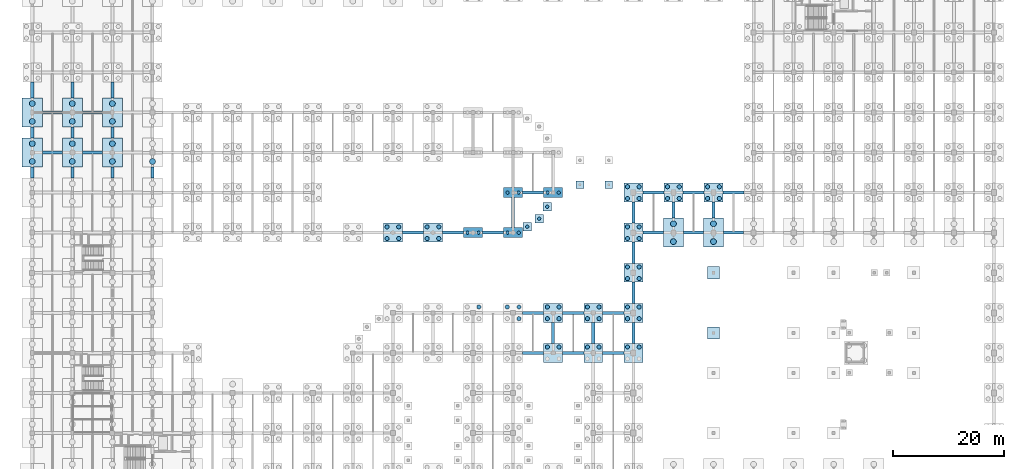
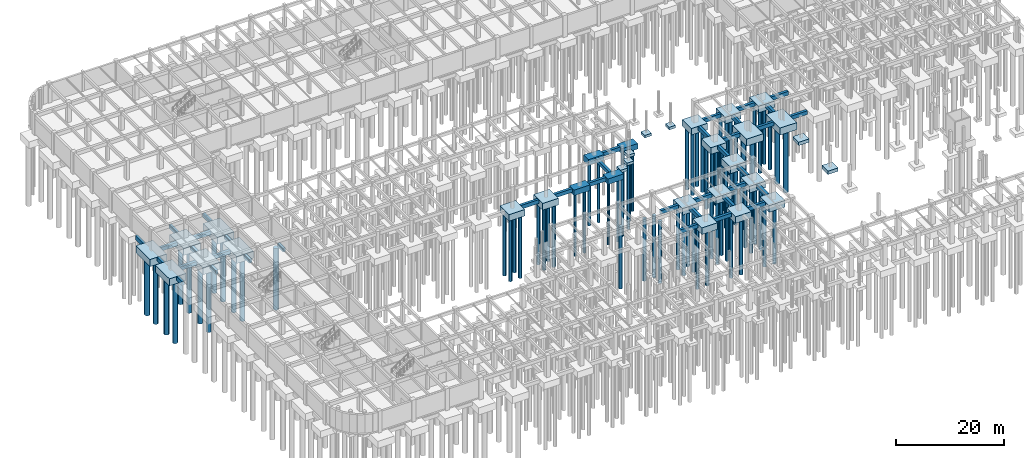
# One storey, part 5 of 47: 78 piles, 71 footings.
"""IFC4 building model written with IfcOpenShell, lengths in metres."""

from ifc_helpers import new_model, si_unit, direction, frame, origin, origin_2d, place, context, subcontext, project, spatial, rectangle, circle, extrude, material, material_profile, profile_set, type_object, element, save


model = new_model("IFC4")

# Units and contexts
model_context = context("Model", 3, precision=1e-05, world=origin(), true_north=direction((0.0, 1.0)))
body_context = subcontext(model_context, "Body", "Model", "MODEL_VIEW")
ifc_project = project(units=[si_unit("LENGTHUNIT", "METRE"), si_unit("AREAUNIT", "SQUARE_METRE"), si_unit("VOLUMEUNIT", "CUBIC_METRE"), si_unit("PLANEANGLEUNIT", "RADIAN"), si_unit("MASSUNIT", "GRAM", prefix="KILO")], contexts=[model_context])

# Site, building, storey
site_placement = place(None, origin())
site = spatial("IfcSite", under=ifc_project, at=site_placement, CompositionType="ELEMENT")
building_placement = place(site_placement, origin())
building = spatial("IfcBuilding", under=site, at=building_placement, Name="Thalmaran Polytechnic", CompositionType="ELEMENT")
storey_placement = place(building_placement, frame((0.0, 0.0, -4.5)))
storey = spatial("IfcBuildingStorey", under=building, at=storey_placement, Name="B1", CompositionType="ELEMENT", Elevation=-4.5)

# Footings
ifc_material_1 = material(Name="Concrete C40/50", Category="concrete")
ifc_material_profile_1 = material_profile(ifc_material_1, rectangle(XDim=0.550048828125, YDim=0.85009765625, at=origin_2d()), Name="RC 550x850")
ifc_profile_set_1 = profile_set([ifc_material_profile_1], Name="Concrete C40/50")
footing_type_1 = type_object("IfcFootingType", Name="FN-GB01", PredefinedType="FOOTING_BEAM", material=ifc_profile_set_1)
footing_1_placement = place(storey_placement, frame((0.0, 60.199951171875, -0.875), z_axis=(0.0, 1.0, 0.0), x_axis=(-1.0, 0.0, 0.0)))
element("IfcFooting", 1, at=footing_1_placement, inside=storey, type_object=footing_type_1, Name="Ground Tie Beam B1 Y (0,8)", PredefinedType="FOOTING_BEAM", context=body_context, shape_type="SweptSolid", body=[
    extrude(rectangle(XDim=0.550048828125, YDim=0.85009765625, at=origin_2d()), origin(), (0.0, 0.0, 1.0), 2.0),
])
footing_2_placement = place(storey_placement, frame((1.800048828125, 64.800048828125, -0.875), z_axis=(1.0, 0.0, 0.0), x_axis=(0.0, 1.0, 0.0)))
element("IfcFooting", 2, at=footing_2_placement, inside=storey, type_object=footing_type_1, Name="Ground Tie Beam B1 X (0,9)", PredefinedType="FOOTING_BEAM", context=body_context, shape_type="SweptSolid", body=[
    extrude(rectangle(XDim=0.550048828125, YDim=0.85009765625, at=origin_2d()), origin(), (0.0, 0.0, 1.0), 3.599853515625),
])
footing_3_placement = place(storey_placement, frame((0.0, 67.39990234375, -0.875), z_axis=(0.0, 1.0, 0.0), x_axis=(-1.0, 0.0, 0.0)))
element("IfcFooting", 3, at=footing_3_placement, inside=storey, type_object=footing_type_1, Name="Ground Tie Beam B1 Y (0,9)", PredefinedType="FOOTING_BEAM", context=body_context, shape_type="SweptSolid", body=[
    extrude(rectangle(XDim=0.550048828125, YDim=0.85009765625, at=origin_2d()), origin(), (0.0, 0.0, 1.0), 2.0),
])
footing_4_placement = place(storey_placement, frame((1.800048828125, 72.0, -0.875), z_axis=(1.0, 0.0, 0.0), x_axis=(0.0, 1.0, 0.0)))
element("IfcFooting", 4, at=footing_4_placement, inside=storey, type_object=footing_type_1, Name="Ground Tie Beam B1 X (0,10)", PredefinedType="FOOTING_BEAM", context=body_context, shape_type="SweptSolid", body=[
    extrude(rectangle(XDim=0.550048828125, YDim=0.85009765625, at=origin_2d()), origin(), (0.0, 0.0, 1.0), 3.599853515625),
])
footing_5_placement = place(storey_placement, frame((0.0, 74.60009765625, -0.875), z_axis=(0.0, 1.0, 0.0), x_axis=(-1.0, 0.0, 0.0)))
element("IfcFooting", 5, at=footing_5_placement, inside=storey, type_object=footing_type_1, Name="Ground Tie Beam B1 Y (0,10)", PredefinedType="FOOTING_BEAM", context=body_context, shape_type="SweptSolid", body=[
    extrude(rectangle(XDim=0.550048828125, YDim=0.85009765625, at=origin_2d()), origin(), (0.0, 0.0, 1.0), 2.89990234375),
])
footing_6_placement = place(storey_placement, frame((7.199951171875, 60.199951171875, -0.875), z_axis=(0.0, 1.0, 0.0), x_axis=(-1.0, 0.0, 0.0)))
element("IfcFooting", 6, at=footing_6_placement, inside=storey, type_object=footing_type_1, Name="Ground Tie Beam B1 Y (1,8)", PredefinedType="FOOTING_BEAM", context=body_context, shape_type="SweptSolid", body=[
    extrude(rectangle(XDim=0.550048828125, YDim=0.85009765625, at=origin_2d()), origin(), (0.0, 0.0, 1.0), 2.0),
])
footing_7_placement = place(storey_placement, frame((9.0, 64.800048828125, -0.875), z_axis=(1.0, 0.0, 0.0), x_axis=(0.0, 1.0, 0.0)))
element("IfcFooting", 7, at=footing_7_placement, inside=storey, type_object=footing_type_1, Name="Ground Tie Beam B1 X (1,9)", PredefinedType="FOOTING_BEAM", context=body_context, shape_type="SweptSolid", body=[
    extrude(rectangle(XDim=0.550048828125, YDim=0.85009765625, at=origin_2d()), origin(), (0.0, 0.0, 1.0), 3.60009765625),
])
footing_8_placement = place(storey_placement, frame((7.199951171875, 67.39990234375, -0.875), z_axis=(0.0, 1.0, 0.0), x_axis=(-1.0, 0.0, 0.0)))
element("IfcFooting", 8, at=footing_8_placement, inside=storey, type_object=footing_type_1, Name="Ground Tie Beam B1 Y (1,9)", PredefinedType="FOOTING_BEAM", context=body_context, shape_type="SweptSolid", body=[
    extrude(rectangle(XDim=0.550048828125, YDim=0.85009765625, at=origin_2d()), origin(), (0.0, 0.0, 1.0), 2.0),
])
footing_9_placement = place(storey_placement, frame((9.0, 72.0, -0.875), z_axis=(1.0, 0.0, 0.0), x_axis=(0.0, 1.0, 0.0)))
element("IfcFooting", 9, at=footing_9_placement, inside=storey, type_object=footing_type_1, Name="Ground Tie Beam B1 X (1,10)", PredefinedType="FOOTING_BEAM", context=body_context, shape_type="SweptSolid", body=[
    extrude(rectangle(XDim=0.550048828125, YDim=0.85009765625, at=origin_2d()), origin(), (0.0, 0.0, 1.0), 3.60009765625),
])
footing_10_placement = place(storey_placement, frame((7.199951171875, 74.60009765625, -0.875), z_axis=(0.0, 1.0, 0.0), x_axis=(-1.0, 0.0, 0.0)))
element("IfcFooting", 10, at=footing_10_placement, inside=storey, type_object=footing_type_1, Name="Ground Tie Beam B1 Y (1,10)", PredefinedType="FOOTING_BEAM", context=body_context, shape_type="SweptSolid", body=[
    extrude(rectangle(XDim=0.550048828125, YDim=0.85009765625, at=origin_2d()), origin(), (0.0, 0.0, 1.0), 2.89990234375),
])
for number, where, z_axis, x_axis, name in (
    (11, (14.39990234375, 60.199951171875, -0.875), (0.0, 1.0, 0.0), (-1.0, 0.0, 0.0), "Ground Tie Beam B1 Y (2,8)"),
    (12, (14.39990234375, 67.39990234375, -0.875), (0.0, 1.0, 0.0), (-1.0, 0.0, 0.0), "Ground Tie Beam B1 Y (2,9)"),
):
    element("IfcFooting", number, at=place(storey_placement, frame(where, z_axis=z_axis, x_axis=x_axis)), inside=storey, type_object=footing_type_1, Name=name, PredefinedType="FOOTING_BEAM", context=body_context, shape_type="SweptSolid", body=[
        extrude(rectangle(XDim=0.550048828125, YDim=0.85009765625, at=origin_2d()), origin(), (0.0, 0.0, 1.0), 2.0),
    ])
footing_11_placement = place(storey_placement, frame((14.39990234375, 74.60009765625, -0.875), z_axis=(0.0, 1.0, 0.0), x_axis=(-1.0, 0.0, 0.0)))
element("IfcFooting", 13, at=footing_11_placement, inside=storey, type_object=footing_type_1, Name="Ground Tie Beam B1 Y (2,10)", PredefinedType="FOOTING_BEAM", context=body_context, shape_type="SweptSolid", body=[
    extrude(rectangle(XDim=0.550048828125, YDim=0.85009765625, at=origin_2d()), origin(), (0.0, 0.0, 1.0), 2.89990234375),
])
footing_12_placement = place(storey_placement, frame((21.60009765625, 60.199951171875, -0.875), z_axis=(0.0, 1.0, 0.0), x_axis=(-1.0, 0.0, 0.0)))
element("IfcFooting", 14, at=footing_12_placement, inside=storey, type_object=footing_type_1, Name="Ground Tie Beam B1 Y (3,8)", PredefinedType="FOOTING_BEAM", context=body_context, shape_type="SweptSolid", body=[
    extrude(rectangle(XDim=0.550048828125, YDim=0.85009765625, at=origin_2d()), origin(), (0.0, 0.0, 1.0), 2.0),
])
for number, where, z_axis, x_axis, name in (
    (15, (66.5, 50.39990234375, -0.875), (1.0, 0.0, 0.0), (0.0, 1.0, 0.0), "Ground Tie Beam B1 X (9,7)"),
    (16, (73.699951171875, 50.39990234375, -0.875), (1.0, 0.0, 0.0), (0.0, 1.0, 0.0), "Ground Tie Beam B1 X (10,7)"),
    (17, (80.89990234375, 50.39990234375, -0.875), (1.0, 0.0, 0.0), (0.0, 1.0, 0.0), "Ground Tie Beam B1 X (11,7)"),
):
    element("IfcFooting", number, at=place(storey_placement, frame(where, z_axis=z_axis, x_axis=x_axis)), inside=storey, type_object=footing_type_1, Name=name, PredefinedType="FOOTING_BEAM", context=body_context, shape_type="SweptSolid", body=[
        extrude(rectangle(XDim=0.550048828125, YDim=0.85009765625, at=origin_2d()), origin(), (0.0, 0.0, 1.0), 3.800048828125),
    ])
for number, where, z_axis, x_axis, name in (
    (18, (88.10009765625, 28.800048828125, -0.875), (1.0, 0.0, 0.0), (0.0, 1.0, 0.0), "Ground Tie Beam B1 X (12,4)"),
    (19, (88.10009765625, 36.0, -0.875), (1.0, 0.0, 0.0), (0.0, 1.0, 0.0), "Ground Tie Beam B1 X (12,5)"),
):
    element("IfcFooting", number, at=place(storey_placement, frame(where, z_axis=z_axis, x_axis=x_axis)), inside=storey, type_object=footing_type_1, Name=name, PredefinedType="FOOTING_BEAM", context=body_context, shape_type="SweptSolid", body=[
        extrude(rectangle(XDim=0.550048828125, YDim=0.85009765625, at=origin_2d()), origin(), (0.0, 0.0, 1.0), 3.7998046875),
    ])
footing_13_placement = place(storey_placement, frame((86.39990234375, 51.300048828125, -0.875), z_axis=(0.0, 1.0, 0.0), x_axis=(-1.0, 0.0, 0.0)))
element("IfcFooting", 20, at=footing_13_placement, inside=storey, type_object=footing_type_1, Name="Ground Tie Beam B1 Y (12,7)", PredefinedType="FOOTING_BEAM", context=body_context, shape_type="SweptSolid", body=[
    extrude(rectangle(XDim=0.550048828125, YDim=0.85009765625, at=origin_2d()), origin(), (0.0, 0.0, 1.0), 5.39990234375),
])
footing_14_placement = place(storey_placement, frame((88.10009765625, 57.60009765625, -0.875), z_axis=(1.0, 0.0, 0.0), x_axis=(0.0, 1.0, 0.0)))
element("IfcFooting", 21, at=footing_14_placement, inside=storey, type_object=footing_type_1, Name="Ground Tie Beam B1 X (12,8)", PredefinedType="FOOTING_BEAM", context=body_context, shape_type="SweptSolid", body=[
    extrude(rectangle(XDim=0.550048828125, YDim=0.85009765625, at=origin_2d()), origin(), (0.0, 0.0, 1.0), 3.7998046875),
])
for number, where, z_axis, x_axis, name in (
    (22, (95.300048828125, 28.800048828125, -0.875), (1.0, 0.0, 0.0), (0.0, 1.0, 0.0), "Ground Tie Beam B1 X (13,4)"),
    (23, (93.60009765625, 30.5, -0.875), (0.0, 1.0, 0.0), (-1.0, 0.0, 0.0), "Ground Tie Beam B1 Y (13,4)"),
    (24, (95.300048828125, 36.0, -0.875), (1.0, 0.0, 0.0), (0.0, 1.0, 0.0), "Ground Tie Beam B1 X (13,5)"),
    (25, (102.5, 28.800048828125, -0.875), (1.0, 0.0, 0.0), (0.0, 1.0, 0.0), "Ground Tie Beam B1 X (14,4)"),
    (26, (100.800048828125, 30.5, -0.875), (0.0, 1.0, 0.0), (-1.0, 0.0, 0.0), "Ground Tie Beam B1 Y (14,4)"),
    (27, (102.5, 36.0, -0.875), (1.0, 0.0, 0.0), (0.0, 1.0, 0.0), "Ground Tie Beam B1 X (14,5)"),
    (28, (108.0, 30.5, -0.875), (0.0, 1.0, 0.0), (-1.0, 0.0, 0.0), "Ground Tie Beam B1 Y (15,4)"),
    (29, (108.0, 37.699951171875, -0.875), (0.0, 1.0, 0.0), (-1.0, 0.0, 0.0), "Ground Tie Beam B1 Y (15,5)"),
    (30, (108.0, 44.89990234375, -0.875), (0.0, 1.0, 0.0), (-1.0, 0.0, 0.0), "Ground Tie Beam B1 Y (15,6)"),
):
    element("IfcFooting", number, at=place(storey_placement, frame(where, z_axis=z_axis, x_axis=x_axis)), inside=storey, type_object=footing_type_1, Name=name, PredefinedType="FOOTING_BEAM", context=body_context, shape_type="SweptSolid", body=[
        extrude(rectangle(XDim=0.550048828125, YDim=0.85009765625, at=origin_2d()), origin(), (0.0, 0.0, 1.0), 3.800048828125),
    ])
footing_15_placement = place(storey_placement, frame((109.699951171875, 50.39990234375, -0.875), z_axis=(1.0, 0.0, 0.0), x_axis=(0.0, 1.0, 0.0)))
element("IfcFooting", 31, at=footing_15_placement, inside=storey, type_object=footing_type_1, Name="Ground Tie Beam B1 X (15,7)", PredefinedType="FOOTING_BEAM", context=body_context, shape_type="SweptSolid", body=[
    extrude(rectangle(XDim=0.550048828125, YDim=0.85009765625, at=origin_2d()), origin(), (0.0, 0.0, 1.0), 3.699951171875),
])
footing_16_placement = place(storey_placement, frame((108.0, 52.10009765625, -0.875), z_axis=(0.0, 1.0, 0.0), x_axis=(-1.0, 0.0, 0.0)))
element("IfcFooting", 32, at=footing_16_placement, inside=storey, type_object=footing_type_1, Name="Ground Tie Beam B1 Y (15,7)", PredefinedType="FOOTING_BEAM", context=body_context, shape_type="SweptSolid", body=[
    extrude(rectangle(XDim=0.550048828125, YDim=0.85009765625, at=origin_2d()), origin(), (0.0, 0.0, 1.0), 3.7998046875),
])
footing_17_placement = place(storey_placement, frame((109.699951171875, 57.60009765625, -0.875), z_axis=(1.0, 0.0, 0.0), x_axis=(0.0, 1.0, 0.0)))
element("IfcFooting", 33, at=footing_17_placement, inside=storey, type_object=footing_type_1, Name="Ground Tie Beam B1 X (15,8)", PredefinedType="FOOTING_BEAM", context=body_context, shape_type="SweptSolid", body=[
    extrude(rectangle(XDim=0.550048828125, YDim=0.85009765625, at=origin_2d()), origin(), (0.0, 0.0, 1.0), 3.800048828125),
])
footing_18_placement = place(storey_placement, frame((117.0, 50.39990234375, -0.875), z_axis=(1.0, 0.0, 0.0), x_axis=(0.0, 1.0, 0.0)))
element("IfcFooting", 34, at=footing_18_placement, inside=storey, type_object=footing_type_1, Name="Ground Tie Beam B1 X (16,7)", PredefinedType="FOOTING_BEAM", context=body_context, shape_type="SweptSolid", body=[
    extrude(rectangle(XDim=0.550048828125, YDim=0.85009765625, at=origin_2d()), origin(), (0.0, 0.0, 1.0), 3.60009765625),
])
footing_19_placement = place(storey_placement, frame((115.199951171875, 53.0, -0.875), z_axis=(0.0, 1.0, 0.0), x_axis=(-1.0, 0.0, 0.0)))
element("IfcFooting", 35, at=footing_19_placement, inside=storey, type_object=footing_type_1, Name="Ground Tie Beam B1 Y (16,7)", PredefinedType="FOOTING_BEAM", context=body_context, shape_type="SweptSolid", body=[
    extrude(rectangle(XDim=0.550048828125, YDim=0.85009765625, at=origin_2d()), origin(), (0.0, 0.0, 1.0), 2.89990234375),
])
footing_20_placement = place(storey_placement, frame((116.89990234375, 57.60009765625, -0.875), z_axis=(1.0, 0.0, 0.0), x_axis=(0.0, 1.0, 0.0)))
element("IfcFooting", 36, at=footing_20_placement, inside=storey, type_object=footing_type_1, Name="Ground Tie Beam B1 X (16,8)", PredefinedType="FOOTING_BEAM", context=body_context, shape_type="SweptSolid", body=[
    extrude(rectangle(XDim=0.550048828125, YDim=0.85009765625, at=origin_2d()), origin(), (0.0, 0.0, 1.0), 3.800048828125),
])
footing_21_placement = place(storey_placement, frame((124.199951171875, 50.39990234375, -0.875), z_axis=(1.0, 0.0, 0.0), x_axis=(0.0, 1.0, 0.0)))
element("IfcFooting", 37, at=footing_21_placement, inside=storey, type_object=footing_type_1, Name="Ground Tie Beam B1 X (17,7)", PredefinedType="FOOTING_BEAM", context=body_context, shape_type="SweptSolid", body=[
    extrude(rectangle(XDim=0.550048828125, YDim=0.85009765625, at=origin_2d()), origin(), (0.0, 0.0, 1.0), 3.60009765625),
])
footing_22_placement = place(storey_placement, frame((122.39990234375, 53.0, -0.875), z_axis=(0.0, 1.0, 0.0), x_axis=(-1.0, 0.0, 0.0)))
element("IfcFooting", 38, at=footing_22_placement, inside=storey, type_object=footing_type_1, Name="Ground Tie Beam B1 Y (17,7)", PredefinedType="FOOTING_BEAM", context=body_context, shape_type="SweptSolid", body=[
    extrude(rectangle(XDim=0.550048828125, YDim=0.85009765625, at=origin_2d()), origin(), (0.0, 0.0, 1.0), 2.89990234375),
])
footing_23_placement = place(storey_placement, frame((124.10009765625, 57.60009765625, -0.875), z_axis=(1.0, 0.0, 0.0), x_axis=(0.0, 1.0, 0.0)))
element("IfcFooting", 39, at=footing_23_placement, inside=storey, type_object=footing_type_1, Name="Ground Tie Beam B1 X (17,8)", PredefinedType="FOOTING_BEAM", context=body_context, shape_type="SweptSolid", body=[
    extrude(rectangle(XDim=0.550048828125, YDim=0.85009765625, at=origin_2d()), origin(), (0.0, 0.0, 1.0), 3.7998046875),
])
footing_type_2 = type_object("IfcFootingType", Name="FN-PC01", PredefinedType="PILE_CAP", material=ifc_material_1)
for number, where, z_axis, x_axis, name in (
    (40, (64.800048828125, 50.39990234375, -1.949951171875), (0.0, 0.0, 1.0), (1.0, 0.0, 0.0), "Pile Cap PC01 (9,7)"),
    (41, (72.0, 50.39990234375, -1.949951171875), (0.0, 0.0, 1.0), (1.0, 0.0, 0.0), "Pile Cap PC01 (10,7)"),
    (42, (93.60009765625, 28.800048828125, -1.949951171875), (0.0, 0.0, 1.0), (1.0, 0.0, 0.0), "Pile Cap PC01 (13,4)"),
    (43, (93.60009765625, 36.0, -1.949951171875), (0.0, 0.0, 1.0), (1.0, 0.0, 0.0), "Pile Cap PC01 (13,5)"),
    (44, (100.800048828125, 28.800048828125, -1.949951171875), (0.0, 0.0, 1.0), (1.0, 0.0, 0.0), "Pile Cap PC01 (14,4)"),
    (45, (100.800048828125, 36.0, -1.949951171875), (0.0, 0.0, 1.0), (1.0, 0.0, 0.0), "Pile Cap PC01 (14,5)"),
    (46, (108.0, 28.800048828125, -1.949951171875), (0.0, 0.0, 1.0), (1.0, 0.0, 0.0), "Pile Cap PC01 (15,4)"),
    (47, (108.0, 36.0, -1.949951171875), (0.0, 0.0, 1.0), (1.0, 0.0, 0.0), "Pile Cap PC01 (15,5)"),
    (48, (108.0, 43.199951171875, -1.949951171875), (0.0, 0.0, 1.0), (1.0, 0.0, 0.0), "Pile Cap PC01 (15,6)"),
    (49, (108.0, 50.39990234375, -1.949951171875), (0.0, 0.0, 1.0), (1.0, 0.0, 0.0), "Pile Cap PC01 (15,7)"),
    (50, (108.0, 57.60009765625, -1.949951171875), (0.0, 0.0, 1.0), (1.0, 0.0, 0.0), "Pile Cap PC01 (15,8)"),
    (51, (115.199951171875, 57.60009765625, -1.949951171875), (0.0, 0.0, 1.0), (1.0, 0.0, 0.0), "Pile Cap PC01 (16,8)"),
    (52, (122.39990234375, 57.60009765625, -1.949951171875), (0.0, 0.0, 1.0), (1.0, 0.0, 0.0), "Pile Cap PC01 (17,8)"),
):
    element("IfcFooting", number, at=place(storey_placement, frame(where, z_axis=z_axis, x_axis=x_axis)), inside=storey, type_object=footing_type_2, Name=name, PredefinedType="PILE_CAP", context=body_context, shape_type="SweptSolid", body=[
        extrude(rectangle(XDim=3.39990234375, YDim=3.39990234375, at=origin_2d()), origin(), (0.0, 0.0, 1.0), 1.5),
    ])
footing_type_3 = type_object("IfcFootingType", Name="FN-PC05", PredefinedType="PILE_CAP", material=ifc_material_1)
for number, where, z_axis, x_axis, name in (
    (53, (79.199951171875, 50.39990234375, -1.699951171875), (0.0, 0.0, 1.0), (1.0, 0.0, 0.0), "Pile Cap PC05 (11,7)"),
    (54, (86.39990234375, 50.39990234375, -1.699951171875), (0.0, 0.0, 1.0), (1.0, 0.0, 0.0), "Pile Cap PC05 (12,7)"),
    (55, (86.39990234375, 57.60009765625, -1.699951171875), (0.0, 0.0, 1.0), (1.0, 0.0, 0.0), "Pile Cap PC05 (12,8)"),
    (56, (93.60009765625, 57.60009765625, -1.699951171875), (0.0, 0.0, 1.0), (1.0, 0.0, 0.0), "Pile Cap PC05 (13,8)"),
):
    element("IfcFooting", number, at=place(storey_placement, frame(where, z_axis=z_axis, x_axis=x_axis)), inside=storey, type_object=footing_type_3, Name=name, PredefinedType="PILE_CAP", context=body_context, shape_type="SweptSolid", body=[
        extrude(rectangle(XDim=3.39990234375, YDim=1.800048828125, at=origin_2d()), origin(), (0.0, 0.0, 1.0), 1.25),
    ])
footing_type_4 = type_object("IfcFootingType", Name="FN-PC08", PredefinedType="PILE_CAP", material=ifc_material_1)
for number, where, z_axis, x_axis, name in (
    (57, (0.0, 64.800048828125, -2.050048828125), (0.0, 0.0, 1.0), (1.0, 0.0, 0.0), "Pile Cap PC08 (0,9)"),
    (58, (0.0, 72.0, -2.050048828125), (0.0, 0.0, 1.0), (1.0, 0.0, 0.0), "Pile Cap PC08 (0,10)"),
    (59, (7.199951171875, 64.800048828125, -2.050048828125), (0.0, 0.0, 1.0), (1.0, 0.0, 0.0), "Pile Cap PC08 (1,9)"),
    (60, (7.199951171875, 72.0, -2.050048828125), (0.0, 0.0, 1.0), (1.0, 0.0, 0.0), "Pile Cap PC08 (1,10)"),
    (61, (14.39990234375, 64.800048828125, -2.050048828125), (0.0, 0.0, 1.0), (1.0, 0.0, 0.0), "Pile Cap PC08 (2,9)"),
    (62, (14.39990234375, 72.0, -2.050048828125), (0.0, 0.0, 1.0), (1.0, 0.0, 0.0), "Pile Cap PC08 (2,10)"),
    (63, (115.199951171875, 50.39990234375, -2.050048828125), (0.0, 0.0, 1.0), (1.0, 0.0, 0.0), "Pile Cap PC08 (16,7)"),
    (64, (122.39990234375, 50.39990234375, -2.050048828125), (0.0, 0.0, 1.0), (1.0, 0.0, 0.0), "Pile Cap PC08 (17,7)"),
):
    element("IfcFooting", number, at=place(storey_placement, frame(where, z_axis=z_axis, x_axis=x_axis)), inside=storey, type_object=footing_type_4, Name=name, PredefinedType="PILE_CAP", context=body_context, shape_type="SweptSolid", body=[
        extrude(rectangle(XDim=3.60009765625, YDim=5.199951171875, at=origin_2d()), origin(), (0.0, 0.0, 1.0), 1.60009765625),
    ])
footing_type_5 = type_object("IfcFootingType", Name="FN-PF01", PredefinedType="PAD_FOOTING", material=ifc_material_1)
for number, where, z_axis, x_axis, name in (
    (65, (122.39990234375, 32.39990234375, -1.199951171875), (0.0, 0.0, 1.0), (1.0, 0.0, 0.0), "POD3 Sabkha Pad Footing"),
    (66, (122.39990234375, 43.199951171875, -1.199951171875), (0.0, 0.0, 1.0), (1.0, 0.0, 0.0), "POD3 Sabkha Pad Footing"),
):
    element("IfcFooting", number, at=place(storey_placement, frame(where, z_axis=z_axis, x_axis=x_axis)), inside=storey, type_object=footing_type_5, Name=name, PredefinedType="PAD_FOOTING", context=body_context, shape_type="SweptSolid", body=[
        extrude(rectangle(XDim=2.199951171875, YDim=2.199951171875, at=origin_2d()), origin(), (0.0, 0.0, 1.0), 0.75),
    ])
footing_type_6 = type_object("IfcFootingType", Name="FN-PF03", PredefinedType="PAD_FOOTING", material=ifc_material_1)
for number, where, z_axis, x_axis, name in (
    (67, (98.39990234375, 59.0, -1.050048828125), (0.0, 0.0, 1.0), (1.0, 0.0, 0.0), "Court Canopy Sabkha Footing 0-59"),
    (68, (103.60009765625, 59.0, -1.050048828125), (0.0, 0.0, 1.0), (1.0, 0.0, 0.0), "Court Canopy Sabkha Footing 1-59"),
):
    element("IfcFooting", number, at=place(storey_placement, frame(where, z_axis=z_axis, x_axis=x_axis)), inside=storey, type_object=footing_type_6, Name=name, PredefinedType="PAD_FOOTING", context=body_context, shape_type="SweptSolid", body=[
        extrude(rectangle(XDim=1.39990234375, YDim=1.39990234375, at=origin_2d()), origin(), (0.0, 0.0, 1.0), 0.60009765625),
    ])
for number, where, z_axis, x_axis, name in (
    (69, (88.933349609375, 51.48388671875, -1.050048828125), (0.0, 0.0, 1.0), (1.0, 0.0, 0.0), "Refectory Drum Column Cap V6SE1"),
    (70, (91.0810546875, 52.9189453125, -1.050048828125), (0.0, 0.0, 1.0), (1.0, 0.0, 0.0), "Refectory Drum Column Cap V6SE2"),
    (71, (92.51611328125, 55.066650390625, -1.050048828125), (0.0, 0.0, 1.0), (1.0, 0.0, 0.0), "Refectory Drum Column Cap V6SE3"),
):
    element("IfcFooting", number, at=place(storey_placement, frame(where, z_axis=z_axis, x_axis=x_axis)), inside=storey, type_object=footing_type_6, Name=name, PredefinedType="PAD_FOOTING", context=body_context, shape_type="SweptSolid", body=[
        extrude(rectangle(XDim=1.5, YDim=1.5, at=origin_2d()), origin(), (0.0, 0.0, 1.0), 0.60009765625),
    ])

# Piles
ifc_material_2 = material(Name="Concrete C35/45", Category="concrete")
ifc_material_profile_2 = material_profile(ifc_material_2, circle(Radius=0.52490234375, at=origin_2d()), Name="RC 1050 DIA")
ifc_profile_set_2 = profile_set([ifc_material_profile_2], Name="Concrete C35/45")
pile_type_1 = type_object("IfcPileType", Name="PL-BP01", PredefinedType="BORED", material=ifc_profile_set_2)
for number, where, z_axis, x_axis, name in (
    (72, (0.0, 63.199951171875, -2.050048828125), (0.0, 0.0, -1.0), (1.0, 0.0, 0.0), "Bored Pile BP01 (0,9)-1"),
    (73, (0.0, 66.39990234375, -2.050048828125), (0.0, 0.0, -1.0), (1.0, 0.0, 0.0), "Bored Pile BP01 (0,9)-2"),
    (74, (0.0, 70.39990234375, -2.050048828125), (0.0, 0.0, -1.0), (1.0, 0.0, 0.0), "Bored Pile BP01 (0,10)-1"),
    (75, (0.0, 73.60009765625, -2.050048828125), (0.0, 0.0, -1.0), (1.0, 0.0, 0.0), "Bored Pile BP01 (0,10)-2"),
    (76, (7.199951171875, 63.199951171875, -2.050048828125), (0.0, 0.0, -1.0), (1.0, 0.0, 0.0), "Bored Pile BP01 (1,9)-1"),
    (77, (7.199951171875, 66.39990234375, -2.050048828125), (0.0, 0.0, -1.0), (1.0, 0.0, 0.0), "Bored Pile BP01 (1,9)-2"),
    (78, (7.199951171875, 70.39990234375, -2.050048828125), (0.0, 0.0, -1.0), (1.0, 0.0, 0.0), "Bored Pile BP01 (1,10)-1"),
    (79, (7.199951171875, 73.60009765625, -2.050048828125), (0.0, 0.0, -1.0), (1.0, 0.0, 0.0), "Bored Pile BP01 (1,10)-2"),
    (80, (14.39990234375, 63.199951171875, -2.050048828125), (0.0, 0.0, -1.0), (1.0, 0.0, 0.0), "Bored Pile BP01 (2,9)-1"),
    (81, (14.39990234375, 66.39990234375, -2.050048828125), (0.0, 0.0, -1.0), (1.0, 0.0, 0.0), "Bored Pile BP01 (2,9)-2"),
    (82, (14.39990234375, 70.39990234375, -2.050048828125), (0.0, 0.0, -1.0), (1.0, 0.0, 0.0), "Bored Pile BP01 (2,10)-1"),
    (83, (14.39990234375, 73.60009765625, -2.050048828125), (0.0, 0.0, -1.0), (1.0, 0.0, 0.0), "Bored Pile BP01 (2,10)-2"),
    (84, (21.60009765625, 63.199951171875, -2.050048828125), (0.0, 0.0, -1.0), (1.0, 0.0, 0.0), "Bored Pile BP01 (3,9)-1"),
    (85, (115.199951171875, 48.800048828125, -2.050048828125), (0.0, 0.0, -1.0), (1.0, 0.0, 0.0), "Bored Pile BP01 (16,7)-1"),
    (86, (115.199951171875, 52.0, -2.050048828125), (0.0, 0.0, -1.0), (1.0, 0.0, 0.0), "Bored Pile BP01 (16,7)-2"),
    (87, (122.39990234375, 48.800048828125, -2.050048828125), (0.0, 0.0, -1.0), (1.0, 0.0, 0.0), "Bored Pile BP01 (17,7)-1"),
    (88, (122.39990234375, 52.0, -2.050048828125), (0.0, 0.0, -1.0), (1.0, 0.0, 0.0), "Bored Pile BP01 (17,7)-2"),
):
    element("IfcPile", number, at=place(storey_placement, frame(where, z_axis=z_axis, x_axis=x_axis)), inside=storey, type_object=pile_type_1, Name=name, PredefinedType="BORED", context=body_context, shape_type="SweptSolid", body=[
        extrude(circle(Radius=0.52490234375, at=origin_2d()), origin(), (0.0, 0.0, 1.0), 13.949951171875),
    ])
ifc_material_profile_3 = material_profile(ifc_material_2, circle(Radius=0.375, at=origin_2d()), Name="RC 750 DIA")
ifc_profile_set_3 = profile_set([ifc_material_profile_3], Name="Concrete C35/45")
pile_type_2 = type_object("IfcPileType", Name="PL-BP03", PredefinedType="BORED", material=ifc_profile_set_3)
for number, where, z_axis, x_axis, name in (
    (89, (63.75, 49.35009765625, -1.949951171875), (0.0, 0.0, -1.0), (1.0, 0.0, 0.0), "Bored Pile BP03 (9,7)-1"),
    (90, (63.75, 51.449951171875, -1.949951171875), (0.0, 0.0, -1.0), (1.0, 0.0, 0.0), "Bored Pile BP03 (9,7)-2"),
    (91, (65.85009765625, 49.35009765625, -1.949951171875), (0.0, 0.0, -1.0), (1.0, 0.0, 0.0), "Bored Pile BP03 (9,7)-3"),
    (92, (65.85009765625, 51.449951171875, -1.949951171875), (0.0, 0.0, -1.0), (1.0, 0.0, 0.0), "Bored Pile BP03 (9,7)-4"),
    (93, (70.949951171875, 49.35009765625, -1.949951171875), (0.0, 0.0, -1.0), (1.0, 0.0, 0.0), "Bored Pile BP03 (10,7)-1"),
    (94, (70.949951171875, 51.449951171875, -1.949951171875), (0.0, 0.0, -1.0), (1.0, 0.0, 0.0), "Bored Pile BP03 (10,7)-2"),
    (95, (73.050048828125, 49.35009765625, -1.949951171875), (0.0, 0.0, -1.0), (1.0, 0.0, 0.0), "Bored Pile BP03 (10,7)-3"),
    (96, (73.050048828125, 51.449951171875, -1.949951171875), (0.0, 0.0, -1.0), (1.0, 0.0, 0.0), "Bored Pile BP03 (10,7)-4"),
    (97, (80.25, 37.050048828125, -1.949951171875), (0.0, 0.0, -1.0), (1.0, 0.0, 0.0), "Bored Pile BP03 (11,5)-4"),
    (98, (85.35009765625, 37.050048828125, -1.949951171875), (0.0, 0.0, -1.0), (1.0, 0.0, 0.0), "Bored Pile BP03 (12,5)-2"),
    (99, (87.449951171875, 34.949951171875, -1.949951171875), (0.0, 0.0, -1.0), (1.0, 0.0, 0.0), "Bored Pile BP03 (12,5)-3"),
    (100, (87.449951171875, 37.050048828125, -1.949951171875), (0.0, 0.0, -1.0), (1.0, 0.0, 0.0), "Bored Pile BP03 (12,5)-4"),
    (101, (92.550048828125, 29.85009765625, -1.949951171875), (0.0, 0.0, -1.0), (1.0, 0.0, 0.0), "Bored Pile BP03 (13,4)-2"),
    (102, (94.64990234375, 29.85009765625, -1.949951171875), (0.0, 0.0, -1.0), (1.0, 0.0, 0.0), "Bored Pile BP03 (13,4)-4"),
    (103, (92.550048828125, 34.949951171875, -1.949951171875), (0.0, 0.0, -1.0), (1.0, 0.0, 0.0), "Bored Pile BP03 (13,5)-1"),
    (104, (92.550048828125, 37.050048828125, -1.949951171875), (0.0, 0.0, -1.0), (1.0, 0.0, 0.0), "Bored Pile BP03 (13,5)-2"),
    (105, (94.64990234375, 34.949951171875, -1.949951171875), (0.0, 0.0, -1.0), (1.0, 0.0, 0.0), "Bored Pile BP03 (13,5)-3"),
    (106, (94.64990234375, 37.050048828125, -1.949951171875), (0.0, 0.0, -1.0), (1.0, 0.0, 0.0), "Bored Pile BP03 (13,5)-4"),
    (107, (99.75, 29.85009765625, -1.949951171875), (0.0, 0.0, -1.0), (1.0, 0.0, 0.0), "Bored Pile BP03 (14,4)-2"),
    (108, (101.85009765625, 29.85009765625, -1.949951171875), (0.0, 0.0, -1.0), (1.0, 0.0, 0.0), "Bored Pile BP03 (14,4)-4"),
    (109, (99.75, 34.949951171875, -1.949951171875), (0.0, 0.0, -1.0), (1.0, 0.0, 0.0), "Bored Pile BP03 (14,5)-1"),
    (110, (99.75, 37.050048828125, -1.949951171875), (0.0, 0.0, -1.0), (1.0, 0.0, 0.0), "Bored Pile BP03 (14,5)-2"),
    (111, (101.85009765625, 34.949951171875, -1.949951171875), (0.0, 0.0, -1.0), (1.0, 0.0, 0.0), "Bored Pile BP03 (14,5)-3"),
    (112, (101.85009765625, 37.050048828125, -1.949951171875), (0.0, 0.0, -1.0), (1.0, 0.0, 0.0), "Bored Pile BP03 (14,5)-4"),
    (113, (106.949951171875, 29.85009765625, -1.949951171875), (0.0, 0.0, -1.0), (1.0, 0.0, 0.0), "Bored Pile BP03 (15,4)-2"),
    (114, (109.050048828125, 29.85009765625, -1.949951171875), (0.0, 0.0, -1.0), (1.0, 0.0, 0.0), "Bored Pile BP03 (15,4)-4"),
    (115, (106.949951171875, 34.949951171875, -1.949951171875), (0.0, 0.0, -1.0), (1.0, 0.0, 0.0), "Bored Pile BP03 (15,5)-1"),
    (116, (106.949951171875, 37.050048828125, -1.949951171875), (0.0, 0.0, -1.0), (1.0, 0.0, 0.0), "Bored Pile BP03 (15,5)-2"),
    (117, (109.050048828125, 34.949951171875, -1.949951171875), (0.0, 0.0, -1.0), (1.0, 0.0, 0.0), "Bored Pile BP03 (15,5)-3"),
    (118, (109.050048828125, 37.050048828125, -1.949951171875), (0.0, 0.0, -1.0), (1.0, 0.0, 0.0), "Bored Pile BP03 (15,5)-4"),
    (119, (106.949951171875, 42.14990234375, -1.949951171875), (0.0, 0.0, -1.0), (1.0, 0.0, 0.0), "Bored Pile BP03 (15,6)-1"),
    (120, (106.949951171875, 44.25, -1.949951171875), (0.0, 0.0, -1.0), (1.0, 0.0, 0.0), "Bored Pile BP03 (15,6)-2"),
    (121, (109.050048828125, 42.14990234375, -1.949951171875), (0.0, 0.0, -1.0), (1.0, 0.0, 0.0), "Bored Pile BP03 (15,6)-3"),
    (122, (109.050048828125, 44.25, -1.949951171875), (0.0, 0.0, -1.0), (1.0, 0.0, 0.0), "Bored Pile BP03 (15,6)-4"),
    (123, (106.949951171875, 49.35009765625, -1.949951171875), (0.0, 0.0, -1.0), (1.0, 0.0, 0.0), "Bored Pile BP03 (15,7)-1"),
    (124, (106.949951171875, 51.449951171875, -1.949951171875), (0.0, 0.0, -1.0), (1.0, 0.0, 0.0), "Bored Pile BP03 (15,7)-2"),
    (125, (109.050048828125, 49.35009765625, -1.949951171875), (0.0, 0.0, -1.0), (1.0, 0.0, 0.0), "Bored Pile BP03 (15,7)-3"),
    (126, (109.050048828125, 51.449951171875, -1.949951171875), (0.0, 0.0, -1.0), (1.0, 0.0, 0.0), "Bored Pile BP03 (15,7)-4"),
    (127, (106.949951171875, 56.550048828125, -1.949951171875), (0.0, 0.0, -1.0), (1.0, 0.0, 0.0), "Bored Pile BP03 (15,8)-1"),
    (128, (106.949951171875, 58.64990234375, -1.949951171875), (0.0, 0.0, -1.0), (1.0, 0.0, 0.0), "Bored Pile BP03 (15,8)-2"),
    (129, (109.050048828125, 56.550048828125, -1.949951171875), (0.0, 0.0, -1.0), (1.0, 0.0, 0.0), "Bored Pile BP03 (15,8)-3"),
    (130, (109.050048828125, 58.64990234375, -1.949951171875), (0.0, 0.0, -1.0), (1.0, 0.0, 0.0), "Bored Pile BP03 (15,8)-4"),
    (131, (114.14990234375, 56.550048828125, -1.949951171875), (0.0, 0.0, -1.0), (1.0, 0.0, 0.0), "Bored Pile BP03 (16,8)-1"),
    (132, (114.14990234375, 58.64990234375, -1.949951171875), (0.0, 0.0, -1.0), (1.0, 0.0, 0.0), "Bored Pile BP03 (16,8)-2"),
    (133, (116.25, 56.550048828125, -1.949951171875), (0.0, 0.0, -1.0), (1.0, 0.0, 0.0), "Bored Pile BP03 (16,8)-3"),
    (134, (116.25, 58.64990234375, -1.949951171875), (0.0, 0.0, -1.0), (1.0, 0.0, 0.0), "Bored Pile BP03 (16,8)-4"),
    (135, (121.35009765625, 56.550048828125, -1.949951171875), (0.0, 0.0, -1.0), (1.0, 0.0, 0.0), "Bored Pile BP03 (17,8)-1"),
    (136, (121.35009765625, 58.64990234375, -1.949951171875), (0.0, 0.0, -1.0), (1.0, 0.0, 0.0), "Bored Pile BP03 (17,8)-2"),
    (137, (123.449951171875, 56.550048828125, -1.949951171875), (0.0, 0.0, -1.0), (1.0, 0.0, 0.0), "Bored Pile BP03 (17,8)-3"),
    (138, (123.449951171875, 58.64990234375, -1.949951171875), (0.0, 0.0, -1.0), (1.0, 0.0, 0.0), "Bored Pile BP03 (17,8)-4"),
):
    element("IfcPile", number, at=place(storey_placement, frame(where, z_axis=z_axis, x_axis=x_axis)), inside=storey, type_object=pile_type_2, Name=name, PredefinedType="BORED", context=body_context, shape_type="SweptSolid", body=[
        extrude(circle(Radius=0.375, at=origin_2d()), origin(), (0.0, 0.0, 1.0), 14.050048828125),
    ])
ifc_material_profile_4 = material_profile(ifc_material_2, circle(Radius=0.300048828125, at=origin_2d()), Name="RC 600 DIA")
ifc_profile_set_4 = profile_set([ifc_material_profile_4], Name="Concrete C35/45")
pile_type_3 = type_object("IfcPileType", Name="PL-BP04", PredefinedType="BORED", material=ifc_profile_set_4)
for number, where, z_axis, x_axis, name in (
    (139, (78.199951171875, 50.39990234375, -1.699951171875), (0.0, 0.0, -1.0), (1.0, 0.0, 0.0), "Bored Pile BP04 (11,7)-1"),
    (140, (80.199951171875, 50.39990234375, -1.699951171875), (0.0, 0.0, -1.0), (1.0, 0.0, 0.0), "Bored Pile BP04 (11,7)-2"),
    (141, (85.39990234375, 50.39990234375, -1.699951171875), (0.0, 0.0, -1.0), (1.0, 0.0, 0.0), "Bored Pile BP04 (12,7)-1"),
    (142, (87.39990234375, 50.39990234375, -1.699951171875), (0.0, 0.0, -1.0), (1.0, 0.0, 0.0), "Bored Pile BP04 (12,7)-2"),
    (143, (85.39990234375, 57.60009765625, -1.699951171875), (0.0, 0.0, -1.0), (1.0, 0.0, 0.0), "Bored Pile BP04 (12,8)-1"),
    (144, (87.39990234375, 57.60009765625, -1.699951171875), (0.0, 0.0, -1.0), (1.0, 0.0, 0.0), "Bored Pile BP04 (12,8)-2"),
    (145, (92.60009765625, 57.60009765625, -1.699951171875), (0.0, 0.0, -1.0), (1.0, 0.0, 0.0), "Bored Pile BP04 (13,8)-1"),
    (146, (94.60009765625, 57.60009765625, -1.699951171875), (0.0, 0.0, -1.0), (1.0, 0.0, 0.0), "Bored Pile BP04 (13,8)-2"),
):
    element("IfcPile", number, at=place(storey_placement, frame(where, z_axis=z_axis, x_axis=x_axis)), inside=storey, type_object=pile_type_3, Name=name, PredefinedType="BORED", context=body_context, shape_type="SweptSolid", body=[
        extrude(circle(Radius=0.300048828125, at=origin_2d()), origin(), (0.0, 0.0, 1.0), 14.300048828125),
    ])
for number, where, z_axis, x_axis, name in (
    (147, (88.933349609375, 51.48388671875, -1.050048828125), (0.0, 0.0, -1.0), (1.0, 0.0, 0.0), "Refectory Drum Pile V6SE1"),
    (148, (91.0810546875, 52.9189453125, -1.050048828125), (0.0, 0.0, -1.0), (1.0, 0.0, 0.0), "Refectory Drum Pile V6SE2"),
    (149, (92.51611328125, 55.066650390625, -1.050048828125), (0.0, 0.0, -1.0), (1.0, 0.0, 0.0), "Refectory Drum Pile V6SE3"),
):
    element("IfcPile", number, at=place(storey_placement, frame(where, z_axis=z_axis, x_axis=x_axis)), inside=storey, type_object=pile_type_3, Name=name, PredefinedType="BORED", context=body_context, shape_type="SweptSolid", body=[
        extrude(circle(Radius=0.300048828125, at=origin_2d()), origin(), (0.0, 0.0, 1.0), 14.949951171875),
    ])

save(model, "model.ifc")
